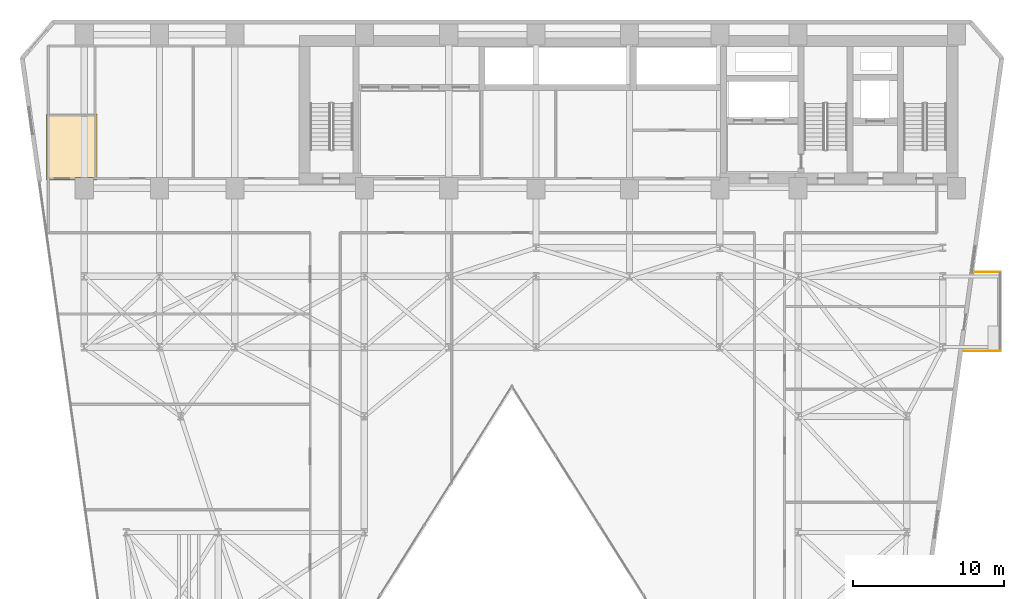
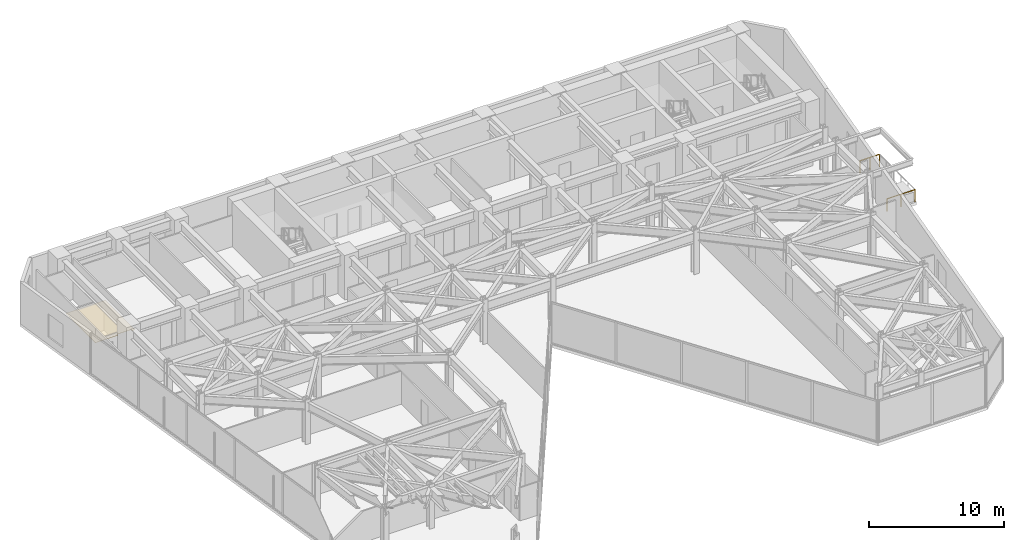
# One storey, part 22 of 24: 2 railings, 1 covering.
"""IFC4 building model written with IfcOpenShell, lengths in metres."""

from ifc_helpers import new_model, si_unit, direction, frame, origin, origin_2d, place, context, subcontext, project, spatial, polyline, circle, outline, extrude, material, layer, layer_set, type_object, element, save


model = new_model("IFC4")

# Units and contexts
model_context = context("Model", 3, precision=1e-05, world=origin(), true_north=direction((0.0, 1.0)))
body_context = subcontext(model_context, "Body", "Model", "MODEL_VIEW")
ifc_project = project(units=[si_unit("LENGTHUNIT", "METRE"), si_unit("AREAUNIT", "SQUARE_METRE"), si_unit("VOLUMEUNIT", "CUBIC_METRE"), si_unit("PLANEANGLEUNIT", "RADIAN"), si_unit("MASSUNIT", "GRAM", prefix="KILO")], contexts=[model_context])

# Site, building, storey
site_placement = place(None, origin())
site = spatial("IfcSite", under=ifc_project, at=site_placement, CompositionType="ELEMENT")
building_placement = place(site_placement, origin())
building = spatial("IfcBuilding", under=site, at=building_placement, Name="Kravanh Interchange Tower", CompositionType="ELEMENT")
storey_placement = place(building_placement, frame((0.0, 0.0, 61.5)))
storey = spatial("IfcBuildingStorey", under=building, at=storey_placement, Name="L14", CompositionType="ELEMENT", Elevation=61.5)

# Covering
ifc_material_1 = material(Name="Acoustic Mineral Fibre Tile on Aluminium Grid", Category="aluminium")
ifc_layer_1 = layer(ifc_material_1, 0.02490234375)
ifc_layer_set_1 = layer_set([ifc_layer_1], Name="Perforated Acoustic Mineral Ceiling 25mm")
covering_type = type_object("IfcCoveringType", Name="Perforated Acoustic Mineral Ceiling 25mm", PredefinedType="CEILING", material=ifc_layer_set_1)
covering_placement = place(storey_placement, frame((0.0, 0.0, 2.550048828125)))
element("IfcCovering", 1, at=covering_placement, inside=storey, type_object=covering_type, Name="L14 Accessible WC Suspended Ceiling", PredefinedType="CEILING", context=body_context, shape_type="SweptSolid", body=[
    extrude(outline(polyline([(9.4599609375, 42.280029296875), (9.4599609375, 37.909912109375), (9.199951171875, 37.909912109375), (9.199951171875, 38.050048828125), (8.0, 38.050048828125), (8.0, 37.909912109375), (6.080078125, 37.909912109375), (6.080078125, 42.280029296875), (9.4599609375, 42.280029296875)])), origin(), (0.0, 0.0, 1.0), 0.02490234375),
])

# Railings
ifc_material_2 = material(Name="Stainless Steel 316", Category="steel")
ifc_layer_2 = layer(ifc_material_2, 0.06005859375)
ifc_layer_set_2 = layer_set([ifc_layer_2], Name="Perimeter Balcony and Terrace Guardrail Stainless 316 1120mm")
railing_type = type_object("IfcRailingType", Name="Perimeter Balcony and Terrace Guardrail Stainless 316 1120mm", PredefinedType="GUARDRAIL", material=ifc_layer_set_2)
railing_1_placement = place(storey_placement, frame((69.409912109375, 26.550048828125, 0.0)))
element("IfcRailing", 2, at=railing_1_placement, inside=storey, type_object=railing_type, Name="L14 E Balcony Guardrail 2", PredefinedType="GUARDRAIL", context=body_context, shape_type="SweptSolid", body=[
    extrude(circle(Radius=0.02392578125, at=origin_2d()), frame((0.0, 0.0, 1.09619140625), z_axis=(-1.0, 0.0, 0.0), x_axis=(0.0, -1.0, 0.0)), (0.0, 0.0, 1.0), 2.39892578125),
    extrude(circle(Radius=0.02099609375, at=origin_2d()), origin(), (0.0, 0.0, 1.0), 1.072021484375),
    extrude(circle(Radius=0.02099609375, at=origin_2d()), frame((-1.199462890625, 0.0, 0.0)), (0.0, 0.0, 1.0), 1.072021484375),
    extrude(circle(Radius=0.02099609375, at=origin_2d()), frame((-2.39892578125, 0.0, 0.0)), (0.0, 0.0, 1.0), 1.072021484375),
])
railing_2_placement = place(storey_placement, frame((67.74755859375, 31.7900390625, 0.0)))
element("IfcRailing", 3, at=railing_2_placement, inside=storey, type_object=railing_type, Name="L14 E Balcony Guardrail 3", PredefinedType="GUARDRAIL", context=body_context, shape_type="SweptSolid", body=[
    extrude(circle(Radius=0.02392578125, at=origin_2d()), frame((0.0, 0.0, 1.09619140625), z_axis=(1.0, 0.0, 0.0), x_axis=(0.0, 1.0, 0.0)), (0.0, 0.0, 1.0), 1.662353515625),
    extrude(circle(Radius=0.02099609375, at=origin_2d()), origin(), (0.0, 0.0, 1.0), 1.072021484375),
    extrude(circle(Radius=0.02099609375, at=origin_2d()), frame((0.8310546875, 0.0, 0.0)), (0.0, 0.0, 1.0), 1.072021484375),
    extrude(circle(Radius=0.02099609375, at=origin_2d()), frame((1.662353515625, 0.0, 0.0)), (0.0, 0.0, 1.0), 1.072021484375),
])

save(model, "model.ifc")
